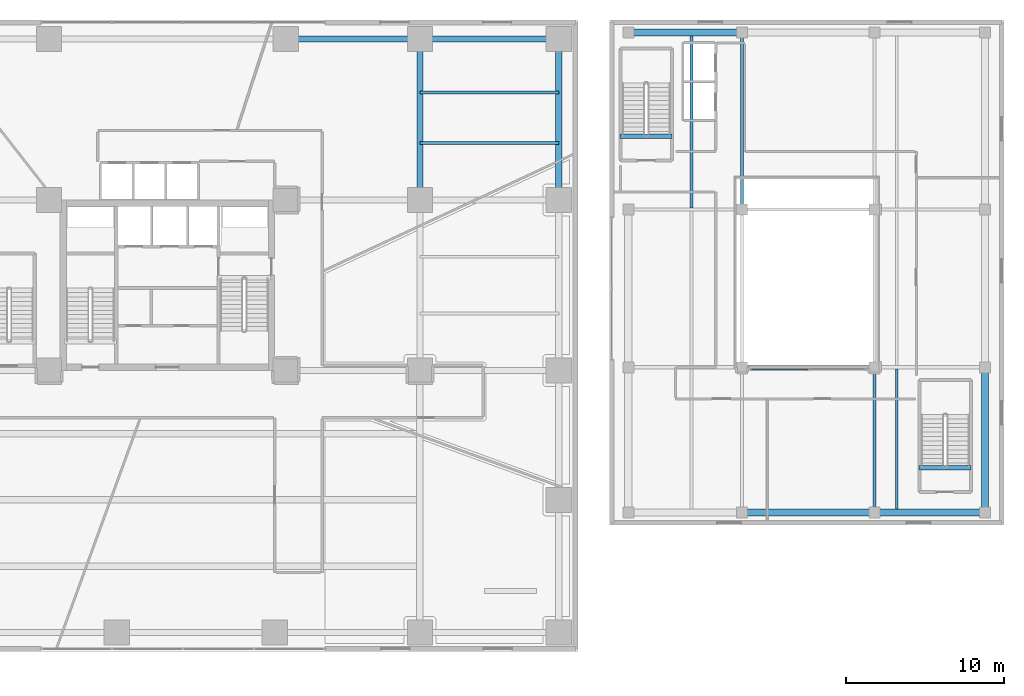
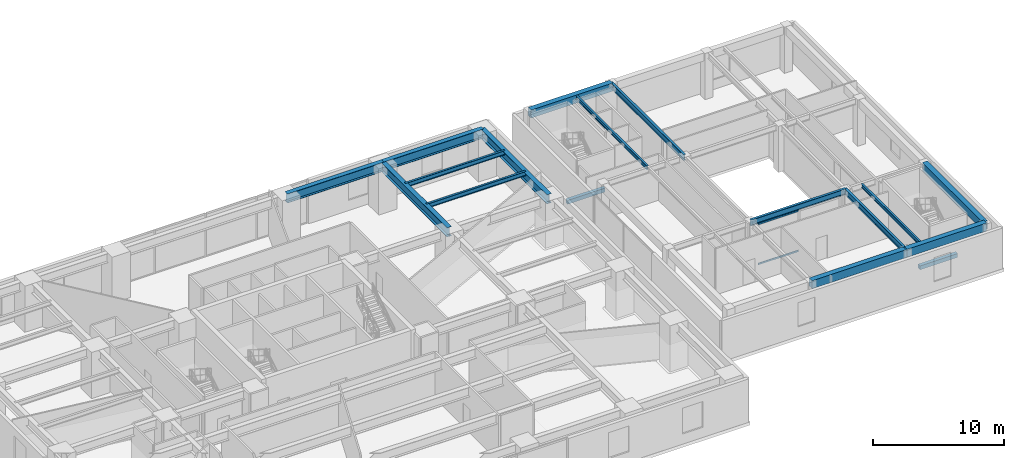
# One storey, part 14 of 25: 17 beams, 2 members, 1 element without a shape of its own.
"""IFC4 building model written with IfcOpenShell, lengths in metres."""

from ifc_helpers import new_model, si_unit, direction, frame, origin, origin_2d, place, context, subcontext, project, spatial, rectangle, hollow_rectangle, i_section, extrude, source, transform, mapped, material, layer, layer_set, material_profile, profile_set, type_object, type_shapes, element, aggregate, save


model = new_model("IFC4")

# Units and contexts
model_context = context("Model", 3, precision=1e-05, world=origin(), true_north=direction((0.0, 1.0)))
body_context = subcontext(model_context, "Body", "Model", "MODEL_VIEW")
ifc_project = project(units=[si_unit("LENGTHUNIT", "METRE"), si_unit("AREAUNIT", "SQUARE_METRE"), si_unit("VOLUMEUNIT", "CUBIC_METRE"), si_unit("PLANEANGLEUNIT", "RADIAN"), si_unit("MASSUNIT", "GRAM", prefix="KILO")], contexts=[model_context])

# Site, building, storey
site_placement = place(None, origin())
site = spatial("IfcSite", under=ifc_project, at=site_placement, CompositionType="ELEMENT")
building_placement = place(site_placement, origin())
building = spatial("IfcBuilding", under=site, at=building_placement, Name="Talar Marvaseh", CompositionType="ELEMENT")
storey_placement = place(building_placement, frame((0.0, 0.0, 5.199951171875)))
storey = spatial("IfcBuildingStorey", under=building, at=storey_placement, Name="L01", CompositionType="ELEMENT", Elevation=5.199951171875)

# Beams
ifc_material_1 = material(Name="Steel S355", Category="steel")
ifc_material_profile_1 = material_profile(ifc_material_1, i_section(OverallWidth=0.39990234375, OverallDepth=0.85498046875, WebThickness=0.018310546875, FlangeThickness=0.029296875, at=origin_2d()), Name="W840x299")
ifc_profile_set_1 = profile_set([ifc_material_profile_1], Name="Steel S355")
beam_type_1 = type_object("IfcBeamType", Name="Concourse Primary Girder W840x299", PredefinedType="BEAM", material=ifc_profile_set_1)
beam_1_placement = place(storey_placement, frame((33.5, 46.800048828125, 3.87255859375), z_axis=(1.0, 0.0, 0.0), x_axis=(0.0, 1.0, 0.0)))
element("IfcBeam", 1, at=beam_1_placement, inside=storey, type_object=beam_type_1, Name="L01 Concourse Primary Girder W840x299", PredefinedType="BEAM", context=body_context, shape_type="SweptSolid", body=[
    extrude(i_section(OverallWidth=0.39990234375, OverallDepth=0.85498046875, WebThickness=0.018310546875, FlangeThickness=0.029296875, at=origin_2d()), origin(), (0.0, 0.0, 1.0), 8.5),
])
beam_2_placement = place(storey_placement, frame((42.0, 46.800048828125, 3.87255859375), z_axis=(1.0, 0.0, 0.0), x_axis=(0.0, 1.0, 0.0)))
element("IfcBeam", 2, at=beam_2_placement, inside=storey, type_object=beam_type_1, Name="L01 Concourse Primary Girder W840x299", PredefinedType="BEAM", context=body_context, shape_type="SweptSolid", body=[
    extrude(i_section(OverallWidth=0.39990234375, OverallDepth=0.85498046875, WebThickness=0.018310546875, FlangeThickness=0.029296875, at=origin_2d()), origin(), (0.0, 0.0, 1.0), 8.800048828125),
])
for number, where, z_axis, x_axis, name in (
    (3, (42.0, 36.60009765625, 3.87255859375), (0.0, 1.0, 0.0), (-1.0, 0.0, 0.0), "L01 Concourse Primary Girder W840x299"),
    (4, (50.800048828125, 36.60009765625, 3.87255859375), (0.0, 1.0, 0.0), (-1.0, 0.0, 0.0), "L01 Concourse Primary Girder W840x299"),
):
    element("IfcBeam", number, at=place(storey_placement, frame(where, z_axis=z_axis, x_axis=x_axis)), inside=storey, type_object=beam_type_1, Name=name, PredefinedType="BEAM", context=body_context, shape_type="SweptSolid", body=[
        extrude(i_section(OverallWidth=0.39990234375, OverallDepth=0.85498046875, WebThickness=0.018310546875, FlangeThickness=0.029296875, at=origin_2d()), origin(), (0.0, 0.0, 1.0), 10.199951171875),
    ])
ifc_material_2 = material(Name="Concrete C40/50", Category="concrete")
ifc_material_profile_2 = material_profile(ifc_material_2, rectangle(XDim=0.300048828125, YDim=0.360107421875, at=origin_2d()), Name="RC300x360")
ifc_profile_set_2 = profile_set([ifc_material_profile_2], Name="Concrete C40/50")
beam_type_2 = type_object("IfcBeamType", Name="Concrete Stair Landing Trimmer Beam RC300x360", PredefinedType="SPANDREL", material=ifc_profile_set_2)
beam_3_placement = place(storey_placement, frame((57.97998046875, 40.6298828125, -0.179931640625), z_axis=(-1.0, 0.0, 0.0), x_axis=(0.0, -1.0, 0.0)))
element("IfcBeam", 5, at=beam_3_placement, inside=storey, type_object=beam_type_2, Name="L01 MH-ST1 Stair Nosing Trimmer Beam", PredefinedType="SPANDREL", context=body_context, shape_type="SweptSolid", body=[
    extrude(rectangle(XDim=0.300048828125, YDim=0.360107421875, at=origin_2d()), origin(), (0.0, 0.0, 1.0), 3.300048828125),
])
beam_4_placement = place(storey_placement, frame((76.919921875, 19.6298828125, -0.179931640625), z_axis=(-1.0, 0.0, 0.0), x_axis=(0.0, -1.0, 0.0)))
element("IfcBeam", 6, at=beam_4_placement, inside=storey, type_object=beam_type_2, Name="L01 MH-ST2 Stair Nosing Trimmer Beam", PredefinedType="SPANDREL", context=body_context, shape_type="SweptSolid", body=[
    extrude(rectangle(XDim=0.300048828125, YDim=0.360107421875, at=origin_2d()), origin(), (0.0, 0.0, 1.0), 3.2998046875),
])
ifc_material_profile_3 = material_profile(ifc_material_2, rectangle(XDim=0.449951171875, YDim=0.75, at=origin_2d()), Name="RC450x750")
ifc_profile_set_3 = profile_set([ifc_material_profile_3], Name="Concrete C40/50")
beam_type_3 = type_object("IfcBeamType", Name="Market Concrete Edge Beam RC450x750", PredefinedType="SPANDREL", material=ifc_profile_set_3)
beam_5_placement = place(storey_placement, frame((62.39990234375, 16.800048828125, 3.925048828125), z_axis=(1.0, 0.0, 0.0), x_axis=(0.0, 1.0, 0.0)))
element("IfcBeam", 7, at=beam_5_placement, inside=storey, type_object=beam_type_3, Name="L01 Market Concrete Edge Beam RC450x750", PredefinedType="SPANDREL", context=body_context, shape_type="SweptSolid", body=[
    extrude(rectangle(XDim=0.449951171875, YDim=0.75, at=origin_2d()), origin(), (0.0, 0.0, 1.0), 8.400146484375),
])
beam_6_placement = place(storey_placement, frame((70.800048828125, 16.800048828125, 3.925048828125), z_axis=(1.0, 0.0, 0.0), x_axis=(0.0, 1.0, 0.0)))
element("IfcBeam", 8, at=beam_6_placement, inside=storey, type_object=beam_type_3, Name="L01 Market Concrete Edge Beam RC450x750", PredefinedType="SPANDREL", context=body_context, shape_type="SweptSolid", body=[
    extrude(rectangle(XDim=0.449951171875, YDim=0.75, at=origin_2d()), origin(), (0.0, 0.0, 1.0), 7.0),
])
beam_7_placement = place(storey_placement, frame((55.199951171875, 47.199951171875, 3.925048828125), z_axis=(1.0, 0.0, 0.0), x_axis=(0.0, 1.0, 0.0)))
element("IfcBeam", 9, at=beam_7_placement, inside=storey, type_object=beam_type_3, Name="L01 Market Concrete Edge Beam RC450x750", PredefinedType="SPANDREL", context=body_context, shape_type="SweptSolid", body=[
    extrude(rectangle(XDim=0.449951171875, YDim=0.75, at=origin_2d()), origin(), (0.0, 0.0, 1.0), 7.199951171875),
])
beam_8_placement = place(storey_placement, frame((77.800048828125, 16.800048828125, 3.925048828125), z_axis=(0.0, 1.0, 0.0), x_axis=(-1.0, 0.0, 0.0)))
element("IfcBeam", 10, at=beam_8_placement, inside=storey, type_object=beam_type_3, Name="L01 Market Concrete Edge Beam RC450x750", PredefinedType="SPANDREL", context=body_context, shape_type="SweptSolid", body=[
    extrude(rectangle(XDim=0.449951171875, YDim=0.75, at=origin_2d()), origin(), (0.0, 0.0, 1.0), 9.199951171875),
])
ifc_material_profile_4 = material_profile(ifc_material_1, i_section(OverallWidth=0.2119140625, OverallDepth=0.5439453125, WebThickness=0.01318359375, FlangeThickness=0.021240234375, at=origin_2d()), Name="W530x123")
ifc_profile_set_4 = profile_set([ifc_material_profile_4], Name="Steel S355")
beam_type_4 = type_object("IfcBeamType", Name="Market Hall Primary Girder W530x123", PredefinedType="BEAM", material=ifc_profile_set_4)
beam_9_placement = place(storey_placement, frame((62.39990234375, 26.0, 4.028076171875), z_axis=(1.0, 0.0, 0.0), x_axis=(0.0, 1.0, 0.0)))
element("IfcBeam", 11, at=beam_9_placement, inside=storey, type_object=beam_type_4, Name="L01 Market Hall Primary Girder W530x123", PredefinedType="BEAM", context=body_context, shape_type="SweptSolid", body=[
    extrude(i_section(OverallWidth=0.2119140625, OverallDepth=0.5439453125, WebThickness=0.01318359375, FlangeThickness=0.021240234375, at=origin_2d()), origin(), (0.0, 0.0, 1.0), 8.400146484375),
])
beam_10_placement = place(storey_placement, frame((62.39990234375, 36.0, 4.028076171875), z_axis=(0.0, 1.0, 0.0), x_axis=(-1.0, 0.0, 0.0)))
element("IfcBeam", 12, at=beam_10_placement, inside=storey, type_object=beam_type_4, Name="L01 Market Hall Primary Girder W530x123", PredefinedType="BEAM", context=body_context, shape_type="SweptSolid", body=[
    extrude(i_section(OverallWidth=0.2119140625, OverallDepth=0.5439453125, WebThickness=0.01318359375, FlangeThickness=0.021240234375, at=origin_2d()), origin(), (0.0, 0.0, 1.0), 11.199951171875),
])
beam_11_placement = place(storey_placement, frame((70.800048828125, 16.800048828125, 4.028076171875), z_axis=(0.0, 1.0, 0.0), x_axis=(-1.0, 0.0, 0.0)))
element("IfcBeam", 13, at=beam_11_placement, inside=storey, type_object=beam_type_4, Name="L01 Market Hall Primary Girder W530x123", PredefinedType="BEAM", context=body_context, shape_type="SweptSolid", body=[
    extrude(i_section(OverallWidth=0.2119140625, OverallDepth=0.5439453125, WebThickness=0.01318359375, FlangeThickness=0.021240234375, at=origin_2d()), origin(), (0.0, 0.0, 1.0), 9.199951171875),
])
ifc_material_profile_5 = material_profile(ifc_material_1, i_section(OverallWidth=0.179931640625, OverallDepth=0.4130859375, WebThickness=0.009765625, FlangeThickness=0.01611328125, at=origin_2d()), Name="W410x75")
ifc_profile_set_5 = profile_set([ifc_material_profile_5], Name="Steel S355")
beam_type_5 = type_object("IfcBeamType", Name="Zone 1 Secondary Floor Joist W410x75", PredefinedType="JOIST", material=ifc_profile_set_5)
for number, where, z_axis, x_axis, name in (
    (14, (42.0, 40.199951171875, 4.093505859375), (1.0, 0.0, 0.0), (0.0, 1.0, 0.0), "L01 Zone 1 Secondary Floor Joist W410x75"),
    (15, (42.0, 43.39990234375, 4.093505859375), (1.0, 0.0, 0.0), (0.0, 1.0, 0.0), "L01 Zone 1 Secondary Floor Joist W410x75"),
):
    element("IfcBeam", number, at=place(storey_placement, frame(where, z_axis=z_axis, x_axis=x_axis)), inside=storey, type_object=beam_type_5, Name=name, PredefinedType="JOIST", context=body_context, shape_type="SweptSolid", body=[
        extrude(i_section(OverallWidth=0.179931640625, OverallDepth=0.4130859375, WebThickness=0.009765625, FlangeThickness=0.01611328125, at=origin_2d()), origin(), (0.0, 0.0, 1.0), 8.800048828125),
    ])
ifc_material_profile_6 = material_profile(ifc_material_1, i_section(OverallWidth=0.172119140625, OverallDepth=0.35791015625, WebThickness=0.0078125, FlangeThickness=0.01318359375, at=origin_2d()), Name="W360x57")
ifc_profile_set_6 = profile_set([ifc_material_profile_6], Name="Steel S355")
beam_type_6 = type_object("IfcBeamType", Name="Zone 2 Secondary Floor Joist W360x57", PredefinedType="JOIST", material=ifc_profile_set_6)
beam_12_placement = place(storey_placement, frame((59.199951171875, 36.10498046875, 4.12109375), z_axis=(0.0, 1.0, 0.0), x_axis=(-1.0, 0.0, 0.0)))
element("IfcBeam", 16, at=beam_12_placement, inside=storey, type_object=beam_type_6, Name="L01 Zone 2 Secondary Floor Joist W360x57", PredefinedType="JOIST", context=body_context, shape_type="SweptSolid", body=[
    extrude(i_section(OverallWidth=0.172119140625, OverallDepth=0.35791015625, WebThickness=0.0078125, FlangeThickness=0.01318359375, at=origin_2d()), origin(), (0.0, 0.0, 1.0), 10.875),
])
beam_13_placement = place(storey_placement, frame((72.199951171875, 17.02001953125, 4.12109375), z_axis=(0.0, 1.0, 0.0), x_axis=(-1.0, 0.0, 0.0)))
element("IfcBeam", 17, at=beam_13_placement, inside=storey, type_object=beam_type_6, Name="L01 Zone 2 Secondary Floor Joist W360x57", PredefinedType="JOIST", context=body_context, shape_type="SweptSolid", body=[
    extrude(i_section(OverallWidth=0.172119140625, OverallDepth=0.35791015625, WebThickness=0.0078125, FlangeThickness=0.01318359375, at=origin_2d()), origin(), (0.0, 0.0, 1.0), 8.875),
])

# Curtain wall, members
ifc_material_3 = material(Name="Architectural Aluminium", Category="aluminium")
ifc_layer = layer(ifc_material_3, 0.169921875)
ifc_layer_set = layer_set([ifc_layer], Name="Architectural Aluminium")
curtain_wall_type = type_object("IfcCurtainWallType", Name="Market Hall Clerestory and Courtyard Curtain Wall", PredefinedType="NOTDEFINED", material=ifc_layer_set)
curtain_wall_placement = place(storey_placement, origin())
curtain_wall = element("IfcCurtainWall", 18, at=curtain_wall_placement, inside=storey, type_object=curtain_wall_type, Name="L01 Market Hall Clerestory and Courtyard Curtain Wall", PredefinedType="NOTDEFINED")
ifc_material_profile_7 = material_profile(ifc_material_3, hollow_rectangle(XDim=0.06494140625, YDim=0.14990234375, WallThickness=0.00390625, at=origin_2d()), Name="RHS150x65x4")
ifc_profile_set_7 = profile_set([ifc_material_profile_7], Name="Architectural Aluminium")
member_type = type_object("IfcMemberType", Name="Unitised Curtain Wall Slim Transom RHS150x65x4", PredefinedType="USERDEFINED", material=ifc_profile_set_7)
shared_shape = source(origin(), body_context, "Body", "SweptSolid", [
    extrude(hollow_rectangle(XDim=0.06494140625, YDim=0.14990234375, WallThickness=0.00390625, at=origin_2d()), origin(), (0.0, 0.0, 1.0), 3.552490234375),
])
type_shapes(member_type, [shared_shape])
member_1_placement = place(storey_placement, frame((63.014892578125, 25.85009765625, 0.032470703125), z_axis=(1.0, 0.0, 0.0), x_axis=(0.0, 1.0, 0.0)))
member_1 = element("IfcMember", 19, at=member_1_placement, type_object=member_type, Name="CW-MKT transom 1.1", ObjectType="TRANSOM", PredefinedType="USERDEFINED", context=body_context, shape_type="MappedRepresentation", body=[
    mapped(shared_shape, transform((0.0, 0.0, 0.0), x_axis=(1.0, 0.0, 0.0), y_axis=(0.0, 1.0, 0.0), z_axis=(0.0, 0.0, 1.0), scale=1.0)),
])
member_2_placement = place(storey_placement, frame((63.014892578125, 25.85009765625, 3.767578125), z_axis=(1.0, 0.0, 0.0), x_axis=(0.0, 1.0, 0.0)))
member_2 = element("IfcMember", 20, at=member_2_placement, type_object=member_type, Name="CW-MKT transom 1.2", ObjectType="TRANSOM", PredefinedType="USERDEFINED", context=body_context, shape_type="MappedRepresentation", body=[
    mapped(shared_shape, transform((0.0, 0.0, 0.0), x_axis=(1.0, 0.0, 0.0), y_axis=(0.0, 1.0, 0.0), z_axis=(0.0, 0.0, 1.0), scale=1.0)),
])
aggregate(curtain_wall, [member_1, member_2])

save(model, "model.ifc")
